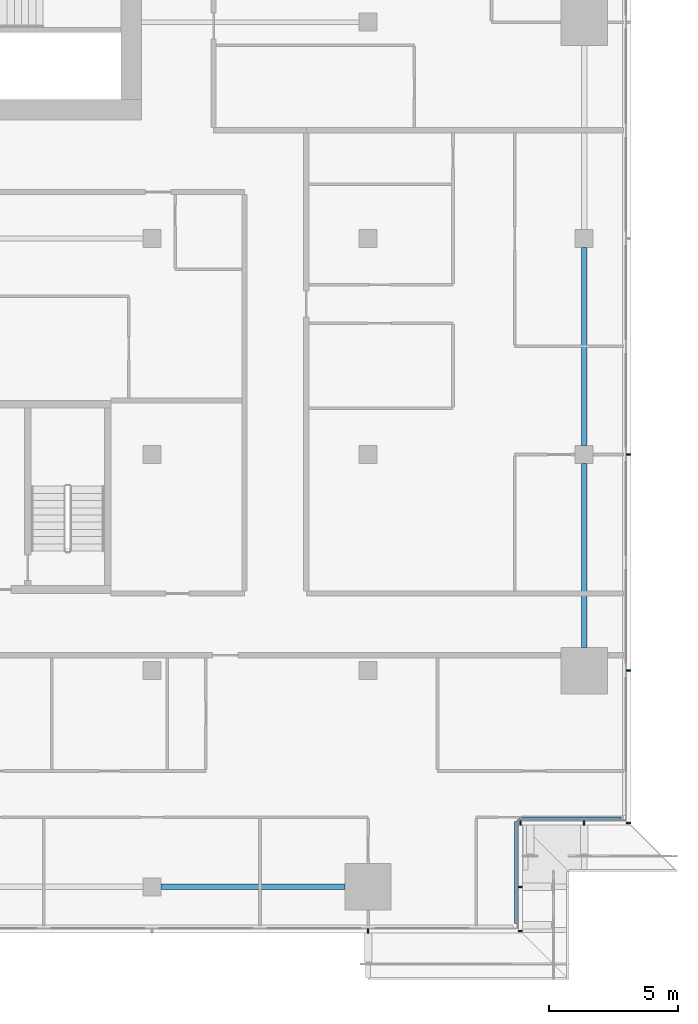
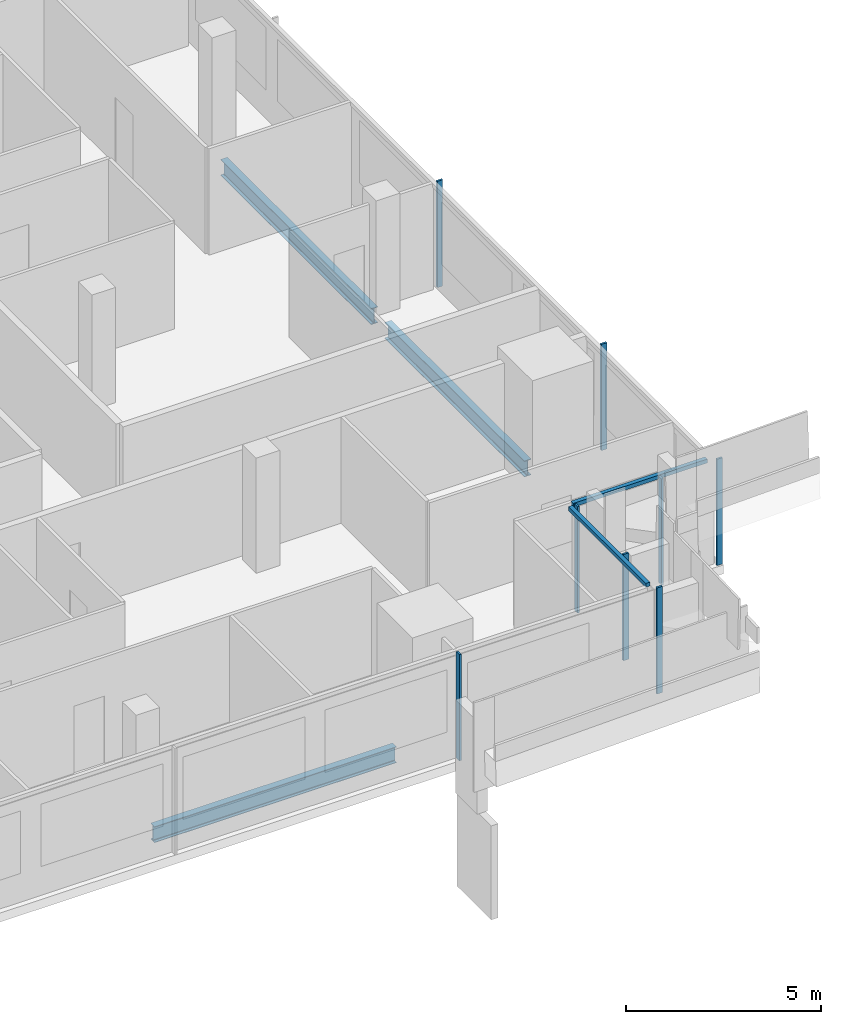
# One storey, part 13 of 30: 10 members, 3 beams, 4 elements without a shape of their own.
"""IFC4 building model written with IfcOpenShell, lengths in metres."""

from ifc_helpers import new_model, si_unit, direction, frame, origin, origin_2d, place, context, subcontext, project, spatial, rectangle, i_section, extrude, material, material_profile, profile_set, type_object, element, aggregate, save


model = new_model("IFC4")

# Units and contexts
model_context = context("Model", 3, precision=1e-05, world=origin(), true_north=direction((0.0, 1.0)))
body_context = subcontext(model_context, "Body", "Model", "MODEL_VIEW")
ifc_project = project(units=[si_unit("LENGTHUNIT", "METRE"), si_unit("AREAUNIT", "SQUARE_METRE"), si_unit("VOLUMEUNIT", "CUBIC_METRE"), si_unit("PLANEANGLEUNIT", "RADIAN"), si_unit("MASSUNIT", "GRAM", prefix="KILO")], contexts=[model_context])

# Site, building, storey
site_placement = place(None, origin())
site = spatial("IfcSite", under=ifc_project, at=site_placement, CompositionType="ELEMENT")
building_placement = place(site_placement, origin())
building = spatial("IfcBuilding", under=site, at=building_placement, Name="Saffron Gate Tower", CompositionType="ELEMENT")
storey_placement = place(building_placement, frame((0.0, 0.0, 179.85009765625)))
storey = spatial("IfcBuildingStorey", under=building, at=storey_placement, Name="L44", CompositionType="ELEMENT", Elevation=179.85009765625)

# Beams
ifc_material_1 = material(Name="Structural steel S355", Category="steel")
ifc_material_profile_1 = material_profile(ifc_material_1, i_section(OverallWidth=0.199951171875, OverallDepth=0.5, WebThickness=0.01025390625, FlangeThickness=0.01611328125, FilletRadius=0.02099609375, at=origin_2d()))
ifc_profile_set_1 = profile_set([ifc_material_profile_1], Name="Structural steel S355")
beam_type = type_object("IfcBeamType", Name="B11 IPE 500", PredefinedType="SPANDREL", material=ifc_profile_set_1)
beam_1_placement = place(storey_placement, frame((108.949951171875, 31.800048828125, -0.530029296875), z_axis=(1.0, 0.0, 0.0), x_axis=(0.0, 1.0, 0.0)))
element("IfcBeam", 1, at=beam_1_placement, inside=storey, type_object=beam_type, Name="B11 SPANDREL BEAM", PredefinedType="SPANDREL", context=body_context, shape_type="SweptSolid", body=[
    extrude(i_section(OverallWidth=0.199951171875, OverallDepth=0.5, WebThickness=0.01025390625, FlangeThickness=0.01611328125, FilletRadius=0.02099609375, at=origin_2d()), origin(), (0.0, 0.0, 1.0), 7.150146484375),
])
beam_2_placement = place(storey_placement, frame((125.39990234375, 41.10009765625, -0.530029296875), z_axis=(0.0, 1.0, 0.0), x_axis=(-1.0, 0.0, 0.0)))
element("IfcBeam", 2, at=beam_2_placement, inside=storey, type_object=beam_type, Name="B11 SPANDREL BEAM", PredefinedType="SPANDREL", context=body_context, shape_type="SweptSolid", body=[
    extrude(i_section(OverallWidth=0.199951171875, OverallDepth=0.5, WebThickness=0.01025390625, FlangeThickness=0.01611328125, FilletRadius=0.02099609375, at=origin_2d()), origin(), (0.0, 0.0, 1.0), 7.14990234375),
])
beam_3_placement = place(storey_placement, frame((125.39990234375, 48.949951171875, -0.530029296875), z_axis=(0.0, 1.0, 0.0), x_axis=(-1.0, 0.0, 0.0)))
element("IfcBeam", 3, at=beam_3_placement, inside=storey, type_object=beam_type, Name="B11 SPANDREL BEAM", PredefinedType="SPANDREL", context=body_context, shape_type="SweptSolid", body=[
    extrude(i_section(OverallWidth=0.199951171875, OverallDepth=0.5, WebThickness=0.01025390625, FlangeThickness=0.01611328125, FilletRadius=0.02099609375, at=origin_2d()), origin(), (0.0, 0.0, 1.0), 7.699951171875),
])

# Curtain wall, member
ifc_material_2 = material(Name="Aluminium, bronze anodised", Category="aluminium")
curtain_wall_type_1 = type_object("IfcCurtainWallType", Name="CWS1 curtain wall front facade", PredefinedType="NOTDEFINED", material=ifc_material_2)
curtain_wall_1_placement = place(storey_placement, origin())
curtain_wall_1 = element("IfcCurtainWall", 4, at=curtain_wall_1_placement, inside=storey, type_object=curtain_wall_type_1, Name="CWS1 run 1", PredefinedType="NOTDEFINED")
ifc_material_profile_2 = material_profile(ifc_material_2, rectangle(XDim=0.159912109375, YDim=0.06005859375, at=origin_2d()))
ifc_profile_set_2 = profile_set([ifc_material_profile_2], Name="Aluminium, bronze anodised")
member_type_1 = type_object("IfcMemberType", Name="CWS1 mullion 60x160", PredefinedType="MULLION", material=ifc_profile_set_2)
member_1_placement = place(storey_placement, frame((117.0, 30.080078125, 0.0), z_axis=(0.0, 0.0, 1.0), x_axis=(0.0, 1.0, 0.0)))
member_1 = element("IfcMember", 5, at=member_1_placement, type_object=member_type_1, Name="CWS1 mullion 9", PredefinedType="MULLION", context=body_context, shape_type="SweptSolid", body=[
    extrude(rectangle(XDim=0.159912109375, YDim=0.06005859375, at=origin_2d()), origin(), (0.0, 0.0, 1.0), 3.31982421875),
])
aggregate(curtain_wall_1, [member_1])

# Curtain wall, members
curtain_wall_type_2 = type_object("IfcCurtainWallType", Name="CWS2 curtain wall side facades", PredefinedType="NOTDEFINED", material=ifc_material_2)
curtain_wall_2_placement = place(storey_placement, origin())
curtain_wall_2 = element("IfcCurtainWall", 6, at=curtain_wall_2_placement, inside=storey, type_object=curtain_wall_type_2, Name="CWS2 run 4", PredefinedType="NOTDEFINED")
ifc_material_profile_3 = material_profile(ifc_material_2, rectangle(XDim=0.159912109375, YDim=0.06005859375, at=origin_2d()))
ifc_profile_set_3 = profile_set([ifc_material_profile_3], Name="Aluminium, bronze anodised")
member_type_2 = type_object("IfcMemberType", Name="CWS2 mullion 60x160", PredefinedType="MULLION", material=ifc_profile_set_3)
member_2_placement = place(storey_placement, frame((127.1201171875, 34.280029296875, 0.0), z_axis=(0.0, 0.0, 1.0), x_axis=(-1.0, 0.0, 0.0)))
member_2 = element("IfcMember", 7, at=member_2_placement, type_object=member_type_2, Name="CWS2 mullion 1", PredefinedType="MULLION", context=body_context, shape_type="SweptSolid", body=[
    extrude(rectangle(XDim=0.159912109375, YDim=0.06005859375, at=origin_2d()), origin(), (0.0, 0.0, 1.0), 3.31982421875),
])
member_3_placement = place(storey_placement, frame((127.1201171875, 40.199951171875, 0.0), z_axis=(0.0, 0.0, 1.0), x_axis=(-1.0, 0.0, 0.0)))
member_3 = element("IfcMember", 8, at=member_3_placement, type_object=member_type_2, Name="CWS2 mullion 2", PredefinedType="MULLION", context=body_context, shape_type="SweptSolid", body=[
    extrude(rectangle(XDim=0.159912109375, YDim=0.06005859375, at=origin_2d()), origin(), (0.0, 0.0, 1.0), 3.31982421875),
])
member_4_placement = place(storey_placement, frame((127.1201171875, 48.60009765625, 0.0), z_axis=(0.0, 0.0, 1.0), x_axis=(-1.0, 0.0, 0.0)))
member_4 = element("IfcMember", 9, at=member_4_placement, type_object=member_type_2, Name="CWS2 mullion 3", PredefinedType="MULLION", context=body_context, shape_type="SweptSolid", body=[
    extrude(rectangle(XDim=0.159912109375, YDim=0.06005859375, at=origin_2d()), origin(), (0.0, 0.0, 1.0), 3.31982421875),
])
aggregate(curtain_wall_2, [member_2, member_3, member_4])

# Curtain wall, member
curtain_wall_type_3 = type_object("IfcCurtainWallType", Name="CWS4 curtain wall corner returns", PredefinedType="NOTDEFINED", material=ifc_material_2)
curtain_wall_3_placement = place(storey_placement, origin())
curtain_wall_3 = element("IfcCurtainWall", 10, at=curtain_wall_3_placement, inside=storey, type_object=curtain_wall_type_3, Name="CWS4 run 2", PredefinedType="NOTDEFINED")
ifc_material_profile_4 = material_profile(ifc_material_2, rectangle(XDim=0.1201171875, YDim=0.1201171875, at=origin_2d()))
ifc_profile_set_4 = profile_set([ifc_material_profile_4], Name="Aluminium, bronze anodised")
member_type_3 = type_object("IfcMemberType", Name="CWS4 head transom", PredefinedType="USERDEFINED", material=ifc_profile_set_4)
member_5_placement = place(storey_placement, frame((122.751953125, 30.367919921875, 3.260009765625), z_axis=(0.0, 1.0, 0.0), x_axis=(-1.0, 0.0, 0.0)))
member_5 = element("IfcMember", 11, at=member_5_placement, type_object=member_type_3, Name="CWS4 head transom", ObjectType="TRANSOM", PredefinedType="USERDEFINED", context=body_context, shape_type="SweptSolid", body=[
    extrude(rectangle(XDim=0.1201171875, YDim=0.1201171875, at=origin_2d()), origin(), (0.0, 0.0, 1.0), 3.9599609375),
])

curtain_wall_4_placement = place(storey_placement, origin())
curtain_wall_4 = element("IfcCurtainWall", 12, at=curtain_wall_4_placement, inside=storey, type_object=curtain_wall_type_3, Name="CWS4 run 3", PredefinedType="NOTDEFINED")
member_6_placement = place(storey_placement, frame((122.8720703125, 34.447998046875, 3.260009765625), z_axis=(1.0, 0.0, 0.0), x_axis=(0.0, 1.0, 0.0)))
member_6 = element("IfcMember", 13, at=member_6_placement, type_object=member_type_3, Name="CWS4 head transom", ObjectType="TRANSOM", PredefinedType="USERDEFINED", context=body_context, shape_type="SweptSolid", body=[
    extrude(rectangle(XDim=0.1201171875, YDim=0.1201171875, at=origin_2d()), origin(), (0.0, 0.0, 1.0), 3.9599609375),
])

# Member
ifc_material_profile_5 = material_profile(ifc_material_2, rectangle(XDim=0.159912109375, YDim=0.06005859375, at=origin_2d()))
ifc_profile_set_5 = profile_set([ifc_material_profile_5], Name="Aluminium, bronze anodised")
member_type_4 = type_object("IfcMemberType", Name="CWS4 mullion 60x160", PredefinedType="MULLION", material=ifc_profile_set_5)
member_7_placement = place(storey_placement, frame((122.919921875, 30.080078125, 0.0), z_axis=(0.0, 0.0, 1.0), x_axis=(-1.0, 0.0, 0.0)))
member_7 = element("IfcMember", 14, at=member_7_placement, type_object=member_type_4, Name="CWS4 mullion 1", PredefinedType="MULLION", context=body_context, shape_type="SweptSolid", body=[
    extrude(rectangle(XDim=0.159912109375, YDim=0.06005859375, at=origin_2d()), origin(), (0.0, 0.0, 1.0), 3.31982421875),
])

member_8_placement = place(storey_placement, frame((122.919921875, 31.800048828125, 0.0), z_axis=(0.0, 0.0, 1.0), x_axis=(-1.0, 0.0, 0.0)))
member_8 = element("IfcMember", 15, at=member_8_placement, type_object=member_type_4, Name="CWS4 mullion 2", PredefinedType="MULLION", context=body_context, shape_type="SweptSolid", body=[
    extrude(rectangle(XDim=0.159912109375, YDim=0.06005859375, at=origin_2d()), origin(), (0.0, 0.0, 1.0), 3.31982421875),
])

aggregate(curtain_wall_3, [member_7, member_8, member_5])

member_9_placement = place(storey_placement, frame((122.919921875, 34.280029296875, 0.0), z_axis=(0.0, 0.0, 1.0), x_axis=(0.0, 1.0, 0.0)))
member_9 = element("IfcMember", 16, at=member_9_placement, type_object=member_type_4, Name="CWS4 mullion 1", PredefinedType="MULLION", context=body_context, shape_type="SweptSolid", body=[
    extrude(rectangle(XDim=0.159912109375, YDim=0.06005859375, at=origin_2d()), origin(), (0.0, 0.0, 1.0), 3.31982421875),
])

member_10_placement = place(storey_placement, frame((125.39990234375, 34.280029296875, 0.0), z_axis=(0.0, 0.0, 1.0), x_axis=(0.0, 1.0, 0.0)))
member_10 = element("IfcMember", 17, at=member_10_placement, type_object=member_type_4, Name="CWS4 mullion 2", PredefinedType="MULLION", context=body_context, shape_type="SweptSolid", body=[
    extrude(rectangle(XDim=0.159912109375, YDim=0.06005859375, at=origin_2d()), origin(), (0.0, 0.0, 1.0), 3.31982421875),
])

aggregate(curtain_wall_4, [member_9, member_10, member_6])

save(model, "model.ifc")
